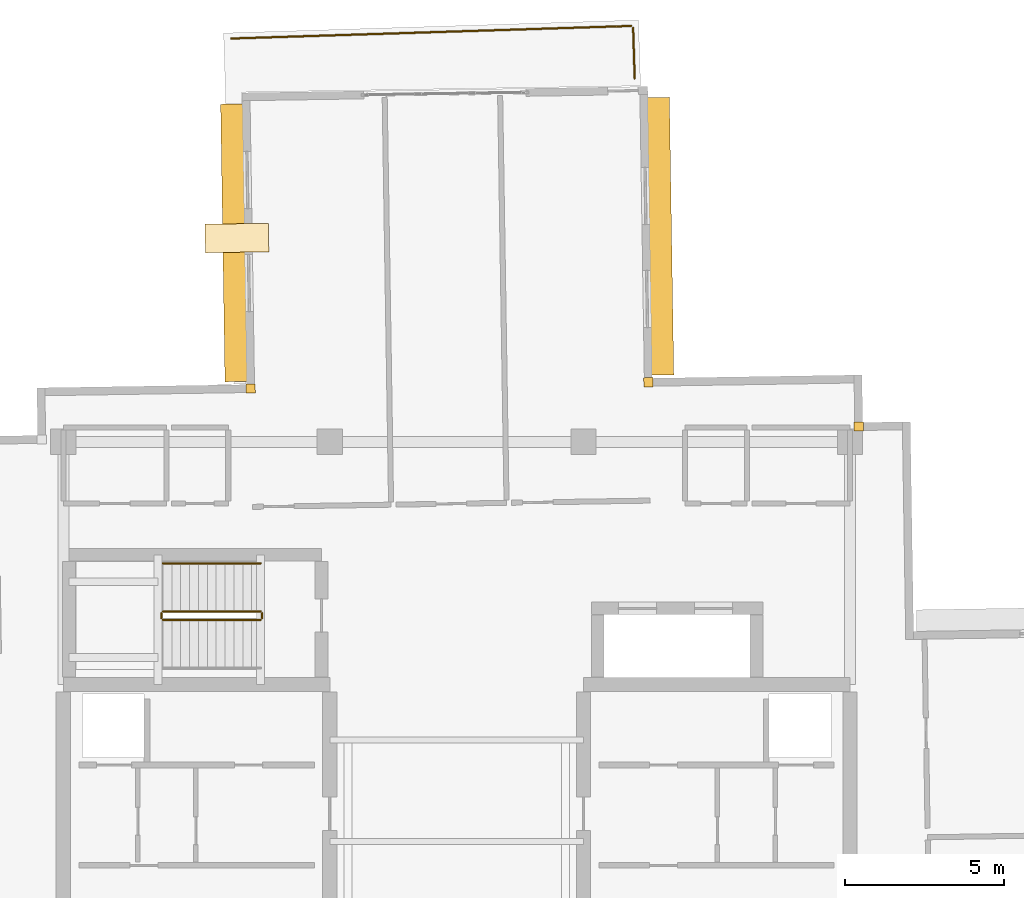
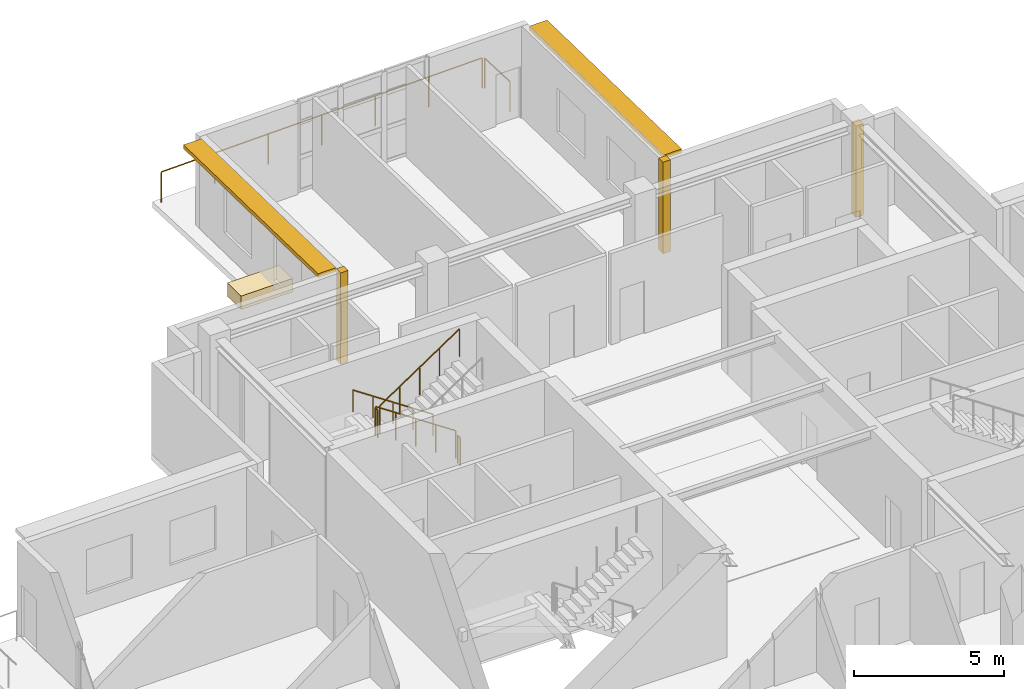
# One storey, part 17 of 18: 7 railings, 4 coverings, 2 shading devices.
"""IFC4 building model written with IfcOpenShell, lengths in metres."""

from ifc_helpers import new_model, si_unit, direction, frame, origin, origin_2d, place, context, subcontext, project, spatial, rectangle, circle, extrude, material, layer, layer_set, type_object, element, save


model = new_model("IFC4")

# Units and contexts
model_context = context("Model", 3, precision=1e-05, world=origin(), true_north=direction((0.0, 1.0)))
body_context = subcontext(model_context, "Body", "Model", "MODEL_VIEW")
ifc_project = project(units=[si_unit("LENGTHUNIT", "METRE"), si_unit("AREAUNIT", "SQUARE_METRE"), si_unit("VOLUMEUNIT", "CUBIC_METRE"), si_unit("PLANEANGLEUNIT", "RADIAN"), si_unit("MASSUNIT", "GRAM", prefix="KILO")], contexts=[model_context])

# Site, building, storey
site_placement = place(None, origin())
site = spatial("IfcSite", under=ifc_project, at=site_placement, CompositionType="ELEMENT")
building_placement = place(site_placement, origin())
building = spatial("IfcBuilding", under=site, at=building_placement, Name="Qingluan Cross Belvedere", CompositionType="ELEMENT")
storey_placement = place(building_placement, frame((0.0, 0.0, 303.89990234375)))
storey = spatial("IfcBuildingStorey", under=building, at=storey_placement, Name="L75", CompositionType="ELEMENT", Elevation=303.89990234375)

# Coverings
ifc_material_1 = material(Name="Precast concrete C45", Category="concrete")
ifc_layer_1 = layer(ifc_material_1, 0.1201171875, Name="ConcreteSpandrelCladding_120")
ifc_layer_set_1 = layer_set([ifc_layer_1], Name="Precast concrete C45")
covering_type_1 = type_object("IfcCoveringType", Name="ConcreteSpandrelCladding_120", PredefinedType="CLADDING", material=ifc_layer_set_1)
for number, where, z_axis, x_axis, name in (
    (1, (12.676025390625, 13.080810546875, 0.0), (0.0, 0.0, 1.0), (0.999876632482, 0.015707317312, 0.0), "Corner closure L75-NE1"),
    (2, (6.04345703125, 14.476806640625, 0.0), (0.0, 0.0, 1.0), (0.999876632482, 0.015707317312, 0.0), "Corner closure L75-NE2"),
    (3, (-6.4951171875, 14.27978515625, 0.0), (0.0, 0.0, 1.0), (0.999876632482, 0.015707317312, 0.0), "Corner closure L75-NW2"),
):
    element("IfcCovering", number, at=place(storey_placement, frame(where, z_axis=z_axis, x_axis=x_axis)), inside=storey, type_object=covering_type_1, Name=name, PredefinedType="CLADDING", context=body_context, shape_type="SweptSolid", body=[
        extrude(rectangle(XDim=0.2900390625, YDim=0.2900390625, at=origin_2d()), origin(), (0.0, 0.0, 1.0), 3.72998046875),
    ])

# Shading devices
ifc_material_2 = material(Name="Precast concrete C45", Category="concrete")
ifc_layer_2 = layer(ifc_material_2, 0.139892578125, Name="ConcreteSunshadeBand_700")
ifc_layer_set_2 = layer_set([ifc_layer_2], Name="Precast concrete C45")
shading_device_type = type_object("IfcShadingDeviceType", Name="ConcreteSunshadeBand_700", PredefinedType="USERDEFINED", material=ifc_layer_set_2)
for number, where, z_axis, x_axis, name in (
    (4, (6.426025390625, 19.083251953125, 3.55029296875), (0.0, 0.0, 1.0), (-0.015709489403, 0.999876598357, 0.0), "Concrete SUNSHADE L75-NA"),
    (5, (-7.022216796875, 18.8720703125, 3.55029296875), (0.0, 0.0, 1.0), (0.01569831898, -0.999876773798, 0.0), "Concrete SUNSHADE L75-NB"),
):
    element("IfcShadingDevice", number, at=place(storey_placement, frame(where, z_axis=z_axis, x_axis=x_axis)), inside=storey, type_object=shading_device_type, Name=name, ObjectType="SUNSHADE", PredefinedType="USERDEFINED", context=body_context, shape_type="SweptSolid", body=[
        extrude(rectangle(XDim=8.75, YDim=0.699951171875, at=origin_2d()), origin(), (0.0, 0.0, 1.0), 0.159912109375),
    ])

# Railings
ifc_material_3 = material(Name="Laminated safety glass and stainless steel balustrade", Category="steel")
railing_type_1 = type_object("IfcRailingType", Name="ObservationGuardBalustrade_1250", PredefinedType="BALUSTRADE", material=ifc_material_3)
railing_1_placement = place(storey_placement, frame((-7.103759765625, 25.314208984375, 0.0)))
element("IfcRailing", 6, at=railing_1_placement, inside=storey, type_object=railing_type_1, Name="Terrace guard L75-1", PredefinedType="BALUSTRADE", context=body_context, shape_type="SweptSolid", body=[
    extrude(circle(Radius=0.02392578125, at=origin_2d()), frame((0.0, 0.0, 1.22607421875), z_axis=(0.999506203148, 0.031422123885, 0.0), x_axis=(-0.031422123885, 0.999506203148, 0.0)), (0.0, 0.0, 1.0), 12.6103515625),
    extrude(circle(Radius=0.02099609375, at=origin_2d()), origin(), (0.0, 0.0, 1.0), 1.201904296875),
    extrude(circle(Radius=0.02099609375, at=origin_2d()), frame((2.1005859375, 0.06591796875, 0.0)), (0.0, 0.0, 1.0), 1.201904296875),
    extrude(circle(Radius=0.02099609375, at=origin_2d()), frame((4.201416015625, 0.132080078125, 0.0)), (0.0, 0.0, 1.0), 1.201904296875),
    extrude(circle(Radius=0.02099609375, at=origin_2d()), frame((6.302001953125, 0.1982421875, 0.0)), (0.0, 0.0, 1.0), 1.201904296875),
    extrude(circle(Radius=0.02099609375, at=origin_2d()), frame((8.402587890625, 0.26416015625, 0.0)), (0.0, 0.0, 1.0), 1.201904296875),
    extrude(circle(Radius=0.02099609375, at=origin_2d()), frame((10.50341796875, 0.330078125, 0.0)), (0.0, 0.0, 1.0), 1.201904296875),
    extrude(circle(Radius=0.02099609375, at=origin_2d()), frame((12.60400390625, 0.396240234375, 0.0)), (0.0, 0.0, 1.0), 1.201904296875),
])
railing_2_placement = place(storey_placement, frame((5.56201171875, 25.65234375, 0.0)))
element("IfcRailing", 7, at=railing_2_placement, inside=storey, type_object=railing_type_1, Name="Terrace guard L75-2", PredefinedType="BALUSTRADE", context=body_context, shape_type="SweptSolid", body=[
    extrude(circle(Radius=0.02392578125, at=origin_2d()), frame((0.0, 0.0, 1.22607421875), z_axis=(0.031487666759, -0.999504140483, 0.0), x_axis=(0.999504140483, 0.031487666759, 0.0)), (0.0, 0.0, 1.0), 1.59716796875),
    extrude(circle(Radius=0.02099609375, at=origin_2d()), origin(), (0.0, 0.0, 1.0), 1.201904296875),
    extrude(circle(Radius=0.02099609375, at=origin_2d()), frame((0.05029296875, -1.596435546875, 0.0)), (0.0, 0.0, 1.0), 1.201904296875),
])
ifc_material_4 = material(Name="Brushed stainless steel tubular handrail", Category="steel")
railing_type_2 = type_object("IfcRailingType", Name="StairPitchHandrail_900", PredefinedType="HANDRAIL", material=ifc_material_4)
railing_3_placement = place(storey_placement, frame((-6.179931640625, 8.77001953125, 0.1875)))
element("IfcRailing", 8, at=railing_3_placement, inside=storey, type_object=railing_type_2, Name="L75 ST3 stair handrail 1", PredefinedType="HANDRAIL", context=body_context, shape_type="SweptSolid", body=[
    extrude(circle(Radius=0.02392578125, at=origin_2d()), frame((0.0, 0.0, 0.8759765625), z_axis=(-0.830913701846, 0.0, 0.55640131208), x_axis=(0.0, -1.0, 0.0)), (0.0, 0.0, 1.0), 3.706787109375),
    extrude(circle(Radius=0.02099609375, at=origin_2d()), origin(), (0.0, 0.0, 1.0), 0.851806640625),
    extrude(circle(Radius=0.02099609375, at=origin_2d()), frame((-0.77001953125, 0.0, 0.515625)), (0.0, 0.0, 1.0), 0.851806640625),
    extrude(circle(Radius=0.02099609375, at=origin_2d()), frame((-1.5400390625, 0.0, 1.03125)), (0.0, 0.0, 1.0), 0.851806640625),
    extrude(circle(Radius=0.02099609375, at=origin_2d()), frame((-2.31005859375, 0.0, 1.546875)), (0.0, 0.0, 1.0), 0.851806640625),
    extrude(circle(Radius=0.02099609375, at=origin_2d()), frame((-3.080078125, 0.0, 2.0625)), (0.0, 0.0, 1.0), 0.851806640625),
])
ifc_material_5 = material(Name="Painted steel stair well guard", Category="steel")
railing_type_3 = type_object("IfcRailingType", Name="StairWellGuard_1150", PredefinedType="BALUSTRADE", material=ifc_material_5)
railing_4_placement = place(storey_placement, frame((-6.179931640625, 7.25, 0.1875)))
element("IfcRailing", 9, at=railing_4_placement, inside=storey, type_object=railing_type_3, Name="L75 ST3 stair guard 1", PredefinedType="BALUSTRADE", context=body_context, shape_type="SweptSolid", body=[
    extrude(circle(Radius=0.02392578125, at=origin_2d()), frame((0.0, 0.0, 1.1259765625), z_axis=(-0.830913701846, 0.0, 0.55640131208), x_axis=(0.0, -1.0, 0.0)), (0.0, 0.0, 1.0), 3.706787109375),
    extrude(circle(Radius=0.02099609375, at=origin_2d()), origin(), (0.0, 0.0, 1.0), 1.101806640625),
    extrude(circle(Radius=0.02099609375, at=origin_2d()), frame((-0.77001953125, 0.0, 0.515625)), (0.0, 0.0, 1.0), 1.101806640625),
    extrude(circle(Radius=0.02099609375, at=origin_2d()), frame((-1.5400390625, 0.0, 1.03125)), (0.0, 0.0, 1.0), 1.101806640625),
    extrude(circle(Radius=0.02099609375, at=origin_2d()), frame((-2.31005859375, 0.0, 1.546875)), (0.0, 0.0, 1.0), 1.101806640625),
    extrude(circle(Radius=0.02099609375, at=origin_2d()), frame((-3.080078125, 0.0, 2.0625)), (0.0, 0.0, 1.0), 1.101806640625),
])
railing_5_placement = place(storey_placement, frame((-9.31005859375, 7.199951171875, 2.25)))
element("IfcRailing", 10, at=railing_5_placement, inside=storey, type_object=railing_type_3, Name="L75 ST3 stair guard 2", PredefinedType="BALUSTRADE", context=body_context, shape_type="SweptSolid", body=[
    extrude(circle(Radius=0.02392578125, at=origin_2d()), frame((0.0, 0.0, 1.1259765625), z_axis=(0.0, -1.0, 0.0), x_axis=(1.0, 0.0, 0.0)), (0.0, 0.0, 1.0), 0.159912109375),
    extrude(circle(Radius=0.02099609375, at=origin_2d()), origin(), (0.0, 0.0, 1.0), 1.101806640625),
    extrude(circle(Radius=0.02099609375, at=origin_2d()), frame((0.0, -0.159912109375, 0.0)), (0.0, 0.0, 1.0), 1.101806640625),
])
railing_6_placement = place(storey_placement, frame((-9.260009765625, 6.989990234375, 2.4375)))
element("IfcRailing", 11, at=railing_6_placement, inside=storey, type_object=railing_type_3, Name="L75 ST3 stair guard 3", PredefinedType="BALUSTRADE", context=body_context, shape_type="SweptSolid", body=[
    extrude(circle(Radius=0.02392578125, at=origin_2d()), frame((0.0, 0.0, 1.1259765625), z_axis=(0.830913701846, 0.0, 0.55640131208), x_axis=(0.0, 1.0, 0.0)), (0.0, 0.0, 1.0), 3.706787109375),
    extrude(circle(Radius=0.02099609375, at=origin_2d()), origin(), (0.0, 0.0, 1.0), 1.101806640625),
    extrude(circle(Radius=0.02099609375, at=origin_2d()), frame((0.77001953125, 0.0, 0.515625)), (0.0, 0.0, 1.0), 1.101806640625),
    extrude(circle(Radius=0.02099609375, at=origin_2d()), frame((1.5400390625, 0.0, 1.03125)), (0.0, 0.0, 1.0), 1.101806640625),
    extrude(circle(Radius=0.02099609375, at=origin_2d()), frame((2.31005859375, 0.0, 1.546875)), (0.0, 0.0, 1.0), 1.101806640625),
    extrude(circle(Radius=0.02099609375, at=origin_2d()), frame((3.080078125, 0.0, 2.0625)), (0.0, 0.0, 1.0), 1.101806640625),
])
railing_7_placement = place(storey_placement, frame((-6.1298828125, 7.199951171875, 0.0)))
element("IfcRailing", 12, at=railing_7_placement, inside=storey, type_object=railing_type_3, Name="L75 ST3 stair guard 4", PredefinedType="BALUSTRADE", context=body_context, shape_type="SweptSolid", body=[
    extrude(circle(Radius=0.02392578125, at=origin_2d()), frame((0.0, 0.0, 1.1259765625), z_axis=(0.0, -1.0, 0.0), x_axis=(1.0, 0.0, 0.0)), (0.0, 0.0, 1.0), 0.159912109375),
    extrude(circle(Radius=0.02099609375, at=origin_2d()), origin(), (0.0, 0.0, 1.0), 1.101806640625),
    extrude(circle(Radius=0.02099609375, at=origin_2d()), frame((0.0, -0.159912109375, 0.0)), (0.0, 0.0, 1.0), 1.101806640625),
])

# Covering
ifc_material_6 = material(Name="Precast concrete C40", Category="concrete")
ifc_layer_3 = layer(ifc_material_6, 0.550048828125, Name="TerracePlanterBox")
ifc_layer_set_3 = layer_set([ifc_layer_3], Name="Precast concrete C40")
covering_type_2 = type_object("IfcCoveringType", Name="TerracePlanterBox", PredefinedType="USERDEFINED", material=ifc_layer_set_3)
covering_placement = place(storey_placement, frame((-6.927978515625, 19.02490234375, 0.0), z_axis=(0.0, 0.0, 1.0), x_axis=(0.999876632482, 0.015707317312, 0.0)))
element("IfcCovering", 13, at=covering_placement, inside=storey, type_object=covering_type_2, Name="Terrace garden planter L75-1", ObjectType="PLANTER", PredefinedType="USERDEFINED", context=body_context, shape_type="SweptSolid", body=[
    extrude(rectangle(XDim=2.0, YDim=0.89990234375, at=origin_2d()), origin(), (0.0, 0.0, 1.0), 0.550048828125),
])

save(model, "model.ifc")
